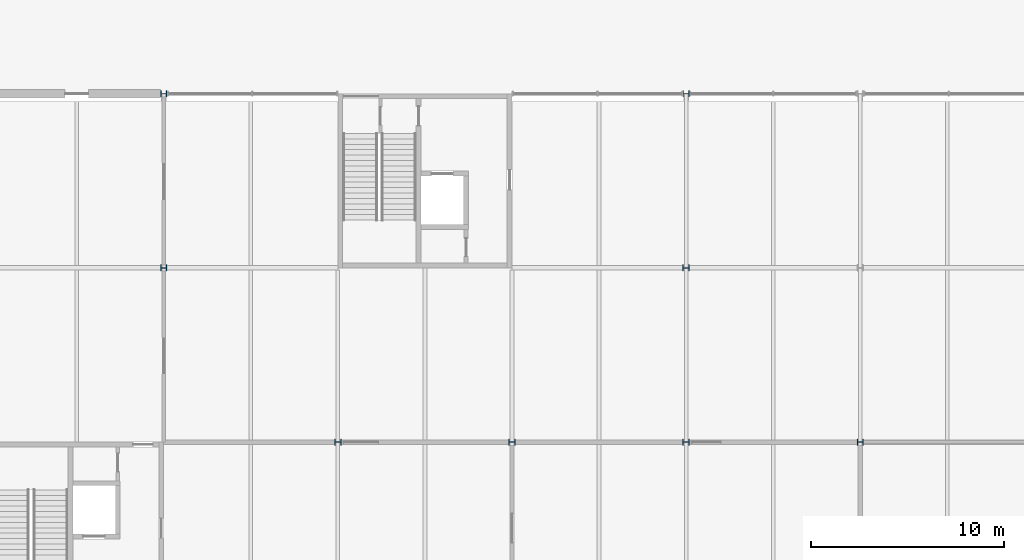
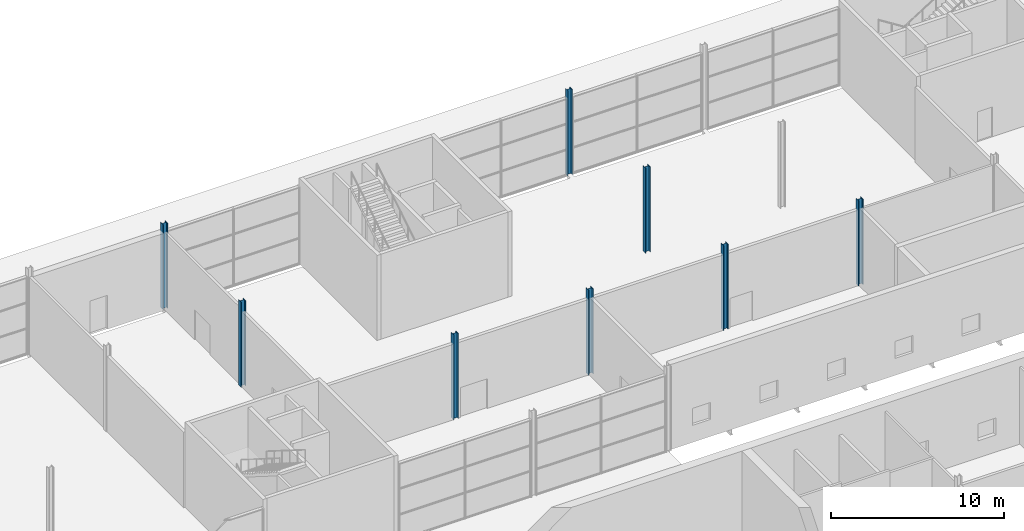
# One storey, part 30 of 97: 8 columns.
"""IFC4 building model written with IfcOpenShell, lengths in metres."""

from ifc_helpers import new_model, si_unit, direction, frame, origin, origin_2d, place, context, subcontext, project, spatial, i_section, extrude, material, material_profile, profile_set, type_object, element, save


model = new_model("IFC4")

# Units and contexts
model_context = context("Model", 3, precision=1e-05, world=origin(), true_north=direction((0.0, 1.0)))
body_context = subcontext(model_context, "Body", "Model", "MODEL_VIEW")
ifc_project = project(units=[si_unit("LENGTHUNIT", "METRE"), si_unit("AREAUNIT", "SQUARE_METRE"), si_unit("VOLUMEUNIT", "CUBIC_METRE"), si_unit("PLANEANGLEUNIT", "RADIAN"), si_unit("MASSUNIT", "GRAM", prefix="KILO")], contexts=[model_context])

# Site, building, storey
site_placement = place(None, origin())
site = spatial("IfcSite", under=ifc_project, at=site_placement, CompositionType="ELEMENT")
building_placement = place(site_placement, origin())
building = spatial("IfcBuilding", under=site, at=building_placement, Name="Corbel Yard City Hall", CompositionType="ELEMENT")
storey_placement = place(building_placement, origin())
storey = spatial("IfcBuildingStorey", under=building, at=storey_placement, Name="L00", CompositionType="ELEMENT", Elevation=0.0)

# Columns
ifc_material = material(Name="Steel Grade 300 (300 MPa yield)", Category="steel")
ifc_material_profile_1 = material_profile(ifc_material, i_section(OverallWidth=0.306884765625, OverallDepth=0.31494140625, WebThickness=0.011962890625, FlangeThickness=0.018798828125, at=origin_2d()), Name="310UC118")
ifc_profile_set_1 = profile_set([ifc_material_profile_1], Name="Steel Grade 300 (300 MPa yield)")
column_type_1 = type_object("IfcColumnType", Name="Column 310UC118", PredefinedType="COLUMN", material=ifc_profile_set_1)
for number, where, z_axis, x_axis, name in (
    (1, (126.0, 117.0, 0.0), (0.0, 0.0, 1.0), (0.0, 1.0, 0.0), "Column 310UC118 N/15 L00"),
    (2, (153.0, 117.0, 0.0), (0.0, 0.0, 1.0), (0.0, 1.0, 0.0), "Column 310UC118 N/18 L00"),
):
    element("IfcColumn", number, at=place(storey_placement, frame(where, z_axis=z_axis, x_axis=x_axis)), inside=storey, type_object=column_type_1, Name=name, PredefinedType="COLUMN", context=body_context, shape_type="SweptSolid", body=[
        extrude(i_section(OverallWidth=0.306884765625, OverallDepth=0.31494140625, WebThickness=0.011962890625, FlangeThickness=0.018798828125, at=origin_2d()), origin(), (0.0, 0.0, 1.0), 6.0),
    ])
ifc_material_profile_2 = material_profile(ifc_material, i_section(OverallWidth=0.31103515625, OverallDepth=0.326904296875, WebThickness=0.015625, FlangeThickness=0.02490234375, at=origin_2d()), Name="310UC158")
ifc_profile_set_2 = profile_set([ifc_material_profile_2], Name="Steel Grade 300 (300 MPa yield)")
column_type_2 = type_object("IfcColumnType", Name="Column 310UC158", PredefinedType="COLUMN", material=ifc_profile_set_2)
for number, where, z_axis, x_axis, name in (
    (3, (126.0, 108.0, 0.0), (0.0, 0.0, 1.0), (0.0, 1.0, 0.0), "Column 310UC158 M/15 L00"),
    (4, (135.0, 99.0, 0.0), (0.0, 0.0, 1.0), (0.0, 1.0, 0.0), "Column 310UC158 L/16 L00"),
    (5, (144.0, 99.0, 0.0), (0.0, 0.0, 1.0), (0.0, 1.0, 0.0), "Column 310UC158 L/17 L00"),
    (6, (153.0, 99.0, 0.0), (0.0, 0.0, 1.0), (0.0, 1.0, 0.0), "Column 310UC158 L/18 L00"),
    (7, (153.0, 108.0, 0.0), (0.0, 0.0, 1.0), (0.0, 1.0, 0.0), "Column 310UC158 M/18 L00"),
    (8, (162.0, 99.0, 0.0), (0.0, 0.0, 1.0), (0.0, 1.0, 0.0), "Column 310UC158 L/19 L00"),
):
    element("IfcColumn", number, at=place(storey_placement, frame(where, z_axis=z_axis, x_axis=x_axis)), inside=storey, type_object=column_type_2, Name=name, PredefinedType="COLUMN", context=body_context, shape_type="SweptSolid", body=[
        extrude(i_section(OverallWidth=0.31103515625, OverallDepth=0.326904296875, WebThickness=0.015625, FlangeThickness=0.02490234375, at=origin_2d()), origin(), (0.0, 0.0, 1.0), 6.0),
    ])

save(model, "model.ifc")
